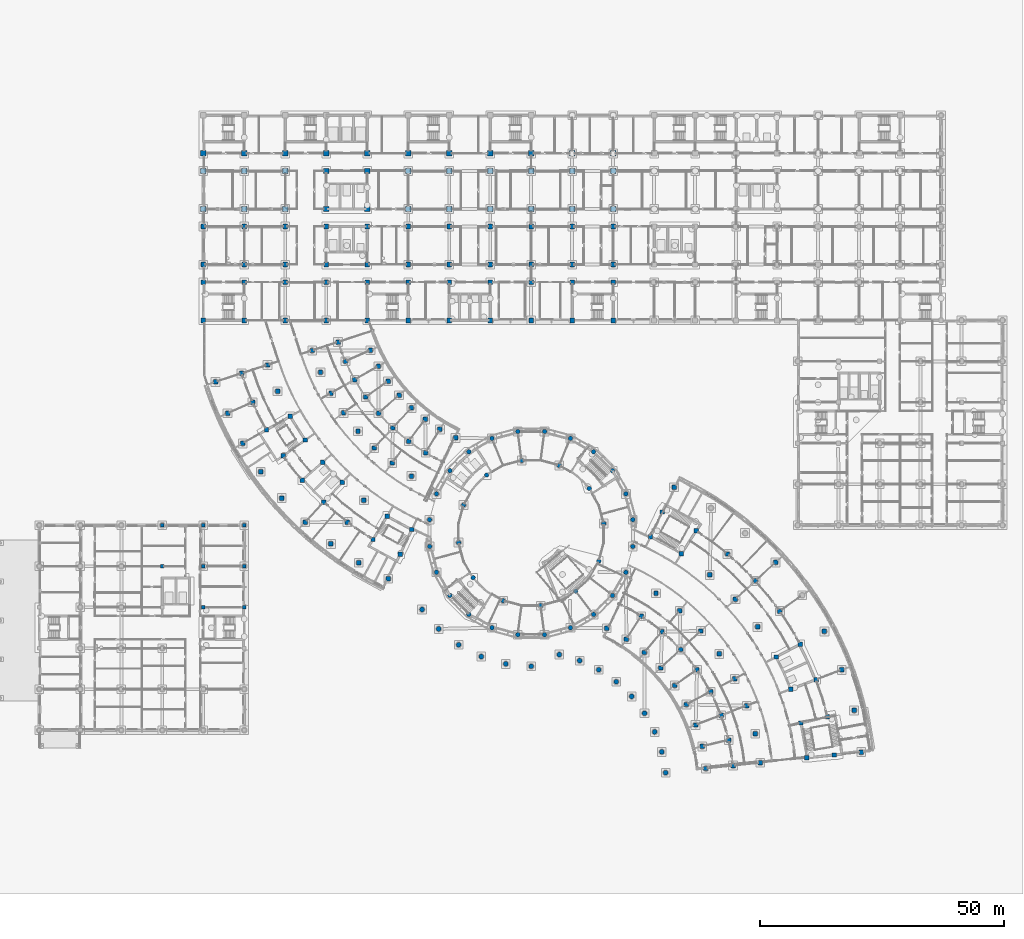
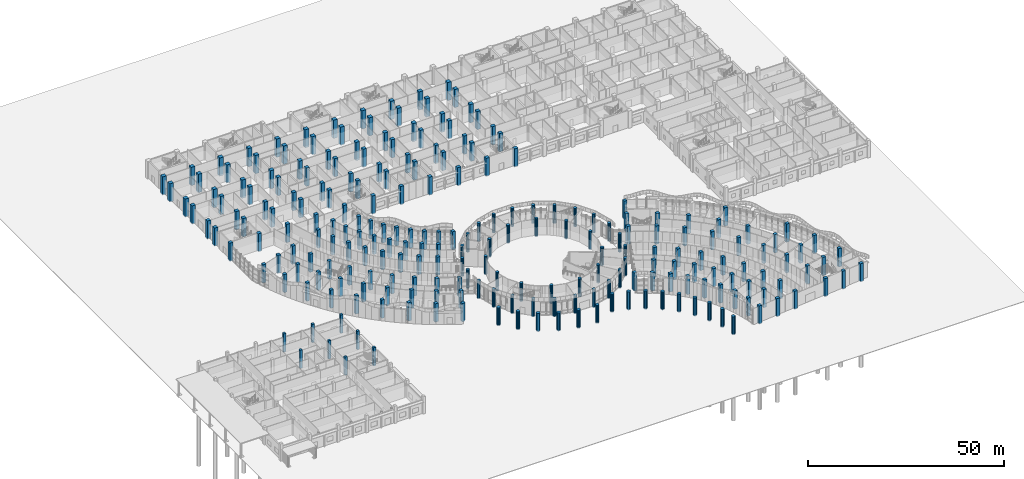
# One storey, part 14 of 146: 236 columns.
"""IFC4 building model written with IfcOpenShell, lengths in metres."""

from ifc_helpers import new_model, si_unit, direction, frame, origin, origin_2d, place, context, subcontext, project, spatial, rectangle, circle, extrude, material, material_profile, profile_set, type_object, element, save


model = new_model("IFC4")

# Units and contexts
model_context = context("Model", 3, precision=1e-05, world=origin(), true_north=direction((0.0, 1.0)))
body_context = subcontext(model_context, "Body", "Model", "MODEL_VIEW")
ifc_project = project(units=[si_unit("LENGTHUNIT", "METRE"), si_unit("AREAUNIT", "SQUARE_METRE"), si_unit("VOLUMEUNIT", "CUBIC_METRE"), si_unit("PLANEANGLEUNIT", "RADIAN"), si_unit("MASSUNIT", "GRAM", prefix="KILO")], contexts=[model_context])

# Site, building, storey
site_placement = place(None, origin())
site = spatial("IfcSite", under=ifc_project, at=site_placement, CompositionType="ELEMENT")
building_placement = place(site_placement, origin())
building = spatial("IfcBuilding", under=site, at=building_placement, Name="Bougainvillea Quay General Hospital", CompositionType="ELEMENT")
storey_placement = place(building_placement, origin())
storey = spatial("IfcBuildingStorey", under=building, at=storey_placement, Name="L00", CompositionType="ELEMENT", Elevation=0.0)

# Columns
ifc_material = material(Name="Concrete C50", Category="concrete")
ifc_material_profile_1 = material_profile(ifc_material, rectangle(XDim=1.0, YDim=1.0, at=origin_2d()))
ifc_profile_set_1 = profile_set([ifc_material_profile_1], Name="Concrete C50")
column_type_1 = type_object("IfcColumnType", Name="RC COL 1000x1000 C50", PredefinedType="COLUMN", material=ifc_profile_set_1)
for number, where, z_axis, x_axis, name in (
    (1, (42.0, 117.60009765625, -0.300048828125), (0.0, 0.0, 1.0), (1.0, 0.0, 0.0), "Column C-V4-000 L00"),
    (2, (42.0, 125.39990234375, -0.300048828125), (0.0, 0.0, 1.0), (1.0, 0.0, 0.0), "Column C-V4-001 L00"),
    (3, (42.0, 129.0, -0.300048828125), (0.0, 0.0, 1.0), (1.0, 0.0, 0.0), "Column C-V4-002 L00"),
    (4, (42.0, 136.800048828125, -0.300048828125), (0.0, 0.0, 1.0), (1.0, 0.0, 0.0), "Column C-V4-003 L00"),
    (5, (50.39990234375, 117.60009765625, -0.300048828125), (0.0, 0.0, 1.0), (1.0, 0.0, 0.0), "Column C-V4-010 L00"),
    (6, (50.39990234375, 125.39990234375, -0.300048828125), (0.0, 0.0, 1.0), (1.0, 0.0, 0.0), "Column C-V4-011 L00"),
    (7, (50.39990234375, 129.0, -0.300048828125), (0.0, 0.0, 1.0), (1.0, 0.0, 0.0), "Column C-V4-012 L00"),
    (8, (50.39990234375, 136.800048828125, -0.300048828125), (0.0, 0.0, 1.0), (1.0, 0.0, 0.0), "Column C-V4-013 L00"),
    (9, (58.800048828125, 117.60009765625, -0.300048828125), (0.0, 0.0, 1.0), (1.0, 0.0, 0.0), "Column C-V4-020 L00"),
    (10, (58.800048828125, 125.39990234375, -0.300048828125), (0.0, 0.0, 1.0), (1.0, 0.0, 0.0), "Column C-V4-021 L00"),
    (11, (58.800048828125, 129.0, -0.300048828125), (0.0, 0.0, 1.0), (1.0, 0.0, 0.0), "Column C-V4-022 L00"),
    (12, (58.800048828125, 136.800048828125, -0.300048828125), (0.0, 0.0, 1.0), (1.0, 0.0, 0.0), "Column C-V4-023 L00"),
    (13, (67.199951171875, 117.60009765625, -0.300048828125), (0.0, 0.0, 1.0), (1.0, 0.0, 0.0), "Column C-V4-030 L00"),
    (14, (67.199951171875, 125.39990234375, -0.300048828125), (0.0, 0.0, 1.0), (1.0, 0.0, 0.0), "Column C-V4-031 L00"),
    (15, (67.199951171875, 129.0, -0.300048828125), (0.0, 0.0, 1.0), (1.0, 0.0, 0.0), "Column C-V4-032 L00"),
    (16, (67.199951171875, 136.800048828125, -0.300048828125), (0.0, 0.0, 1.0), (1.0, 0.0, 0.0), "Column C-V4-033 L00"),
    (17, (75.60009765625, 117.60009765625, -0.300048828125), (0.0, 0.0, 1.0), (1.0, 0.0, 0.0), "Column C-V4-040 L00"),
    (18, (75.60009765625, 125.39990234375, -0.300048828125), (0.0, 0.0, 1.0), (1.0, 0.0, 0.0), "Column C-V4-041 L00"),
    (19, (75.60009765625, 129.0, -0.300048828125), (0.0, 0.0, 1.0), (1.0, 0.0, 0.0), "Column C-V4-042 L00"),
    (20, (75.60009765625, 136.800048828125, -0.300048828125), (0.0, 0.0, 1.0), (1.0, 0.0, 0.0), "Column C-V4-043 L00"),
    (21, (84.0, 117.60009765625, -0.300048828125), (0.0, 0.0, 1.0), (1.0, 0.0, 0.0), "Column C-V4-050 L00"),
    (22, (84.0, 125.39990234375, -0.300048828125), (0.0, 0.0, 1.0), (1.0, 0.0, 0.0), "Column C-V4-051 L00"),
    (23, (84.0, 129.0, -0.300048828125), (0.0, 0.0, 1.0), (1.0, 0.0, 0.0), "Column C-V4-052 L00"),
    (24, (84.0, 136.800048828125, -0.300048828125), (0.0, 0.0, 1.0), (1.0, 0.0, 0.0), "Column C-V4-053 L00"),
    (25, (92.39990234375, 117.60009765625, -0.300048828125), (0.0, 0.0, 1.0), (1.0, 0.0, 0.0), "Column C-V4-060 L00"),
    (26, (92.39990234375, 125.39990234375, -0.300048828125), (0.0, 0.0, 1.0), (1.0, 0.0, 0.0), "Column C-V4-061 L00"),
    (27, (92.39990234375, 129.0, -0.300048828125), (0.0, 0.0, 1.0), (1.0, 0.0, 0.0), "Column C-V4-062 L00"),
    (28, (92.39990234375, 136.800048828125, -0.300048828125), (0.0, 0.0, 1.0), (1.0, 0.0, 0.0), "Column C-V4-063 L00"),
    (29, (100.800048828125, 117.60009765625, -0.300048828125), (0.0, 0.0, 1.0), (1.0, 0.0, 0.0), "Column C-V4-070 L00"),
    (30, (100.800048828125, 125.39990234375, -0.300048828125), (0.0, 0.0, 1.0), (1.0, 0.0, 0.0), "Column C-V4-071 L00"),
    (31, (100.800048828125, 129.0, -0.300048828125), (0.0, 0.0, 1.0), (1.0, 0.0, 0.0), "Column C-V4-072 L00"),
    (32, (100.800048828125, 136.800048828125, -0.300048828125), (0.0, 0.0, 1.0), (1.0, 0.0, 0.0), "Column C-V4-073 L00"),
    (33, (109.199951171875, 117.60009765625, -0.300048828125), (0.0, 0.0, 1.0), (1.0, 0.0, 0.0), "Column C-V4-080 L00"),
    (34, (109.199951171875, 125.39990234375, -0.300048828125), (0.0, 0.0, 1.0), (1.0, 0.0, 0.0), "Column C-V4-081 L00"),
    (35, (109.199951171875, 129.0, -0.300048828125), (0.0, 0.0, 1.0), (1.0, 0.0, 0.0), "Column C-V4-082 L00"),
    (36, (109.199951171875, 136.800048828125, -0.300048828125), (0.0, 0.0, 1.0), (1.0, 0.0, 0.0), "Column C-V4-083 L00"),
    (37, (117.60009765625, 117.60009765625, -0.300048828125), (0.0, 0.0, 1.0), (1.0, 0.0, 0.0), "Column C-V4-090 L00"),
    (38, (117.60009765625, 125.39990234375, -0.300048828125), (0.0, 0.0, 1.0), (1.0, 0.0, 0.0), "Column C-V4-091 L00"),
    (39, (117.60009765625, 129.0, -0.300048828125), (0.0, 0.0, 1.0), (1.0, 0.0, 0.0), "Column C-V4-092 L00"),
    (40, (117.60009765625, 136.800048828125, -0.300048828125), (0.0, 0.0, 1.0), (1.0, 0.0, 0.0), "Column C-V4-093 L00"),
    (41, (126.0, 117.60009765625, -0.300048828125), (0.0, 0.0, 1.0), (1.0, 0.0, 0.0), "Column C-V4-100 L00"),
    (42, (126.0, 125.39990234375, -0.300048828125), (0.0, 0.0, 1.0), (1.0, 0.0, 0.0), "Column C-V4-101 L00"),
    (43, (126.0, 129.0, -0.300048828125), (0.0, 0.0, 1.0), (1.0, 0.0, 0.0), "Column C-V4-102 L00"),
    (44, (126.0, 136.800048828125, -0.300048828125), (0.0, 0.0, 1.0), (1.0, 0.0, 0.0), "Column C-V4-103 L00"),
):
    element("IfcColumn", number, at=place(storey_placement, frame(where, z_axis=z_axis, x_axis=x_axis)), inside=storey, type_object=column_type_1, Name=name, PredefinedType="COLUMN", context=body_context, shape_type="SweptSolid", body=[
        extrude(rectangle(XDim=1.0, YDim=1.0, at=origin_2d()), origin(), (0.0, 0.0, 1.0), 5.699951171875),
    ])
ifc_material_profile_2 = material_profile(ifc_material, rectangle(XDim=1.10009765625, YDim=1.10009765625, at=origin_2d()))
ifc_profile_set_2 = profile_set([ifc_material_profile_2], Name="Concrete C50")
column_type_2 = type_object("IfcColumnType", Name="RC COL 1100x1100 C50", PredefinedType="COLUMN", material=ifc_profile_set_2)
for number, where, z_axis, x_axis, name in (
    (45, (42.0, 140.39990234375, -0.300048828125), (0.0, 0.0, 1.0), (1.0, 0.0, 0.0), "Column C-V4-004 L00"),
    (46, (42.0, 148.199951171875, -0.300048828125), (0.0, 0.0, 1.0), (1.0, 0.0, 0.0), "Column C-V4-005 L00"),
    (47, (42.0, 151.800048828125, -0.300048828125), (0.0, 0.0, 1.0), (1.0, 0.0, 0.0), "Column C-V4-006 L00"),
    (48, (50.39990234375, 140.39990234375, -0.300048828125), (0.0, 0.0, 1.0), (1.0, 0.0, 0.0), "Column C-V4-014 L00"),
    (49, (50.39990234375, 148.199951171875, -0.300048828125), (0.0, 0.0, 1.0), (1.0, 0.0, 0.0), "Column C-V4-015 L00"),
    (50, (50.39990234375, 151.800048828125, -0.300048828125), (0.0, 0.0, 1.0), (1.0, 0.0, 0.0), "Column C-V4-016 L00"),
    (51, (58.800048828125, 140.39990234375, -0.300048828125), (0.0, 0.0, 1.0), (1.0, 0.0, 0.0), "Column C-V4-024 L00"),
    (52, (58.800048828125, 148.199951171875, -0.300048828125), (0.0, 0.0, 1.0), (1.0, 0.0, 0.0), "Column C-V4-025 L00"),
    (53, (58.800048828125, 151.800048828125, -0.300048828125), (0.0, 0.0, 1.0), (1.0, 0.0, 0.0), "Column C-V4-026 L00"),
    (54, (67.199951171875, 140.39990234375, -0.300048828125), (0.0, 0.0, 1.0), (1.0, 0.0, 0.0), "Column C-V4-034 L00"),
    (55, (67.199951171875, 148.199951171875, -0.300048828125), (0.0, 0.0, 1.0), (1.0, 0.0, 0.0), "Column C-V4-035 L00"),
    (56, (67.199951171875, 151.800048828125, -0.300048828125), (0.0, 0.0, 1.0), (1.0, 0.0, 0.0), "Column C-V4-036 L00"),
    (57, (75.60009765625, 140.39990234375, -0.300048828125), (0.0, 0.0, 1.0), (1.0, 0.0, 0.0), "Column C-V4-044 L00"),
    (58, (75.60009765625, 148.199951171875, -0.300048828125), (0.0, 0.0, 1.0), (1.0, 0.0, 0.0), "Column C-V4-045 L00"),
    (59, (75.60009765625, 151.800048828125, -0.300048828125), (0.0, 0.0, 1.0), (1.0, 0.0, 0.0), "Column C-V4-046 L00"),
    (60, (84.0, 140.39990234375, -0.300048828125), (0.0, 0.0, 1.0), (1.0, 0.0, 0.0), "Column C-V4-054 L00"),
    (61, (84.0, 148.199951171875, -0.300048828125), (0.0, 0.0, 1.0), (1.0, 0.0, 0.0), "Column C-V4-055 L00"),
    (62, (84.0, 151.800048828125, -0.300048828125), (0.0, 0.0, 1.0), (1.0, 0.0, 0.0), "Column C-V4-056 L00"),
    (63, (92.39990234375, 140.39990234375, -0.300048828125), (0.0, 0.0, 1.0), (1.0, 0.0, 0.0), "Column C-V4-064 L00"),
    (64, (92.39990234375, 148.199951171875, -0.300048828125), (0.0, 0.0, 1.0), (1.0, 0.0, 0.0), "Column C-V4-065 L00"),
    (65, (92.39990234375, 151.800048828125, -0.300048828125), (0.0, 0.0, 1.0), (1.0, 0.0, 0.0), "Column C-V4-066 L00"),
    (66, (100.800048828125, 140.39990234375, -0.300048828125), (0.0, 0.0, 1.0), (1.0, 0.0, 0.0), "Column C-V4-074 L00"),
    (67, (100.800048828125, 148.199951171875, -0.300048828125), (0.0, 0.0, 1.0), (1.0, 0.0, 0.0), "Column C-V4-075 L00"),
    (68, (100.800048828125, 151.800048828125, -0.300048828125), (0.0, 0.0, 1.0), (1.0, 0.0, 0.0), "Column C-V4-076 L00"),
    (69, (109.199951171875, 140.39990234375, -0.300048828125), (0.0, 0.0, 1.0), (1.0, 0.0, 0.0), "Column C-V4-084 L00"),
    (70, (109.199951171875, 148.199951171875, -0.300048828125), (0.0, 0.0, 1.0), (1.0, 0.0, 0.0), "Column C-V4-085 L00"),
    (71, (109.199951171875, 151.800048828125, -0.300048828125), (0.0, 0.0, 1.0), (1.0, 0.0, 0.0), "Column C-V4-086 L00"),
    (72, (117.60009765625, 140.39990234375, -0.300048828125), (0.0, 0.0, 1.0), (1.0, 0.0, 0.0), "Column C-V4-094 L00"),
    (73, (117.60009765625, 148.199951171875, -0.300048828125), (0.0, 0.0, 1.0), (1.0, 0.0, 0.0), "Column C-V4-095 L00"),
    (74, (117.60009765625, 151.800048828125, -0.300048828125), (0.0, 0.0, 1.0), (1.0, 0.0, 0.0), "Column C-V4-096 L00"),
    (75, (126.0, 140.39990234375, -0.300048828125), (0.0, 0.0, 1.0), (1.0, 0.0, 0.0), "Column C-V4-104 L00"),
    (76, (126.0, 148.199951171875, -0.300048828125), (0.0, 0.0, 1.0), (1.0, 0.0, 0.0), "Column C-V4-105 L00"),
    (77, (126.0, 151.800048828125, -0.300048828125), (0.0, 0.0, 1.0), (1.0, 0.0, 0.0), "Column C-V4-106 L00"),
):
    element("IfcColumn", number, at=place(storey_placement, frame(where, z_axis=z_axis, x_axis=x_axis)), inside=storey, type_object=column_type_2, Name=name, PredefinedType="COLUMN", context=body_context, shape_type="SweptSolid", body=[
        extrude(rectangle(XDim=1.10009765625, YDim=1.10009765625, at=origin_2d()), origin(), (0.0, 0.0, 1.0), 5.699951171875),
    ])
ifc_material_profile_3 = material_profile(ifc_material, rectangle(XDim=0.699951171875, YDim=0.699951171875, at=origin_2d()))
ifc_profile_set_3 = profile_set([ifc_material_profile_3], Name="Concrete C50")
column_type_3 = type_object("IfcColumnType", Name="RC COL 700x700 C50", PredefinedType="COLUMN", material=ifc_profile_set_3)
for number, where, z_axis, x_axis, name in (
    (78, (33.60009765625, 67.199951171875, -0.300048828125), (0.0, 0.0, 1.0), (1.0, 0.0, 0.0), "Column C-V2-34 L00"),
    (79, (33.60009765625, 75.60009765625, -0.300048828125), (0.0, 0.0, 1.0), (1.0, 0.0, 0.0), "Column C-V2-35 L00"),
    (80, (42.0, 58.800048828125, -0.300048828125), (0.0, 0.0, 1.0), (1.0, 0.0, 0.0), "Column C-V2-43 L00"),
    (81, (42.0, 67.199951171875, -0.300048828125), (0.0, 0.0, 1.0), (1.0, 0.0, 0.0), "Column C-V2-44 L00"),
    (82, (42.0, 75.60009765625, -0.300048828125), (0.0, 0.0, 1.0), (1.0, 0.0, 0.0), "Column C-V2-45 L00"),
    (83, (50.39990234375, 58.800048828125, -0.300048828125), (0.0, 0.0, 1.0), (1.0, 0.0, 0.0), "Column C-V2-53 L00"),
    (84, (50.39990234375, 67.199951171875, -0.300048828125), (0.0, 0.0, 1.0), (1.0, 0.0, 0.0), "Column C-V2-54 L00"),
    (85, (50.39990234375, 75.60009765625, -0.300048828125), (0.0, 0.0, 1.0), (1.0, 0.0, 0.0), "Column C-V2-55 L00"),
):
    element("IfcColumn", number, at=place(storey_placement, frame(where, z_axis=z_axis, x_axis=x_axis)), inside=storey, type_object=column_type_3, Name=name, PredefinedType="COLUMN", context=body_context, shape_type="SweptSolid", body=[
        extrude(rectangle(XDim=0.699951171875, YDim=0.699951171875, at=origin_2d()), origin(), (0.0, 0.0, 1.0), 5.699951171875),
    ])
ifc_material_profile_4 = material_profile(ifc_material, rectangle(XDim=0.89990234375, YDim=0.89990234375, at=origin_2d()))
ifc_profile_set_4 = profile_set([ifc_material_profile_4], Name="Concrete C50")
column_type_4 = type_object("IfcColumnType", Name="RC COL 900x900 C50", PredefinedType="COLUMN", material=ifc_profile_set_4)
for number, where, z_axis, x_axis, name in (
    (86, (44.530029296875, 104.98193359375, -0.300048828125), (0.0, 0.0, 1.0), (1.0, 0.0, 0.0), "Column C-V6-W80 L00"),
    (87, (46.989990234375, 98.5419921875, -0.300048828125), (0.0, 0.0, 1.0), (1.0, 0.0, 0.0), "Column C-V6-W70 L00"),
    (88, (49.85498046875, 106.712890625, -0.300048828125), (0.0, 0.0, 1.0), (1.0, 0.0, 0.0), "Column C-V6-W81 L00"),
    (89, (50.091064453125, 92.383056640625, -0.300048828125), (0.0, 0.0, 1.0), (1.0, 0.0, 0.0), "Column C-V6-W60 L00"),
    (90, (52.114013671875, 100.802978515625, -0.300048828125), (0.0, 0.0, 1.0), (1.0, 0.0, 0.0), "Column C-V6-W71 L00"),
    (91, (53.799072265625, 86.570068359375, -0.300048828125), (0.0, 0.0, 1.0), (1.0, 0.0, 0.0), "Column C-V6-W50 L00"),
    (92, (54.958984375, 95.152099609375, -0.300048828125), (0.0, 0.0, 1.0), (1.0, 0.0, 0.0), "Column C-V6-W61 L00"),
    (93, (55.180908203125, 108.444091796875, -0.300048828125), (0.0, 0.0, 1.0), (1.0, 0.0, 0.0), "Column C-V6-W82 L00"),
    (94, (57.237060546875, 103.06396484375, -0.300048828125), (0.0, 0.0, 1.0), (1.0, 0.0, 0.0), "Column C-V6-W72 L00"),
    (95, (58.075927734375, 81.1630859375, -0.300048828125), (0.0, 0.0, 1.0), (1.0, 0.0, 0.0), "Column C-V6-W40 L00"),
    (96, (58.361083984375, 89.81689453125, -0.300048828125), (0.0, 0.0, 1.0), (1.0, 0.0, 0.0), "Column C-V6-W51 L00"),
    (97, (59.825927734375, 97.919921875, -0.300048828125), (0.0, 0.0, 1.0), (1.0, 0.0, 0.0), "Column C-V6-W62 L00"),
    (98, (62.287109375, 84.85498046875, -0.300048828125), (0.0, 0.0, 1.0), (1.0, 0.0, 0.0), "Column C-V6-W41 L00"),
    (99, (62.8798828125, 76.216064453125, -0.300048828125), (0.0, 0.0, 1.0), (1.0, 0.0, 0.0), "Column C-V6-W30 L00"),
    (100, (62.924072265625, 93.06494140625, -0.300048828125), (0.0, 0.0, 1.0), (1.0, 0.0, 0.0), "Column C-V6-W52 L00"),
    (101, (64.31103515625, 111.410888671875, -0.300048828125), (0.0, 0.0, 1.0), (1.0, 0.0, 0.0), "Column C-V6-W83 L00"),
    (102, (66.01904296875, 106.94091796875, -0.300048828125), (0.0, 0.0, 1.0), (1.0, 0.0, 0.0), "Column C-V6-W73 L00"),
    (103, (66.4970703125, 88.548095703125, -0.300048828125), (0.0, 0.0, 1.0), (1.0, 0.0, 0.0), "Column C-V6-W42 L00"),
    (104, (66.694091796875, 80.31591796875, -0.300048828125), (0.0, 0.0, 1.0), (1.0, 0.0, 0.0), "Column C-V6-W31 L00"),
    (105, (68.158935546875, 71.781005859375, -0.300048828125), (0.0, 0.0, 1.0), (1.0, 0.0, 0.0), "Column C-V6-W20 L00"),
    (106, (68.1708984375, 102.666015625, -0.300048828125), (0.0, 0.0, 1.0), (1.0, 0.0, 0.0), "Column C-V6-W63 L00"),
    (107, (69.636962890625, 113.14208984375, -0.300048828125), (0.0, 0.0, 1.0), (1.0, 0.0, 0.0), "Column C-V6-W84 L00"),
    (108, (70.509033203125, 84.416015625, -0.300048828125), (0.0, 0.0, 1.0), (1.0, 0.0, 0.0), "Column C-V6-W32 L00"),
    (109, (70.7451171875, 98.631103515625, -0.300048828125), (0.0, 0.0, 1.0), (1.0, 0.0, 0.0), "Column C-V6-W53 L00"),
    (110, (71.14208984375, 109.201904296875, -0.300048828125), (0.0, 0.0, 1.0), (1.0, 0.0, 0.0), "Column C-V6-W74 L00"),
    (111, (71.5390625, 76.2470703125, -0.300048828125), (0.0, 0.0, 1.0), (1.0, 0.0, 0.0), "Column C-V6-W21 L00"),
    (112, (73.0390625, 105.43408203125, -0.300048828125), (0.0, 0.0, 1.0), (1.0, 0.0, 0.0), "Column C-V6-W64 L00"),
    (113, (73.714111328125, 94.8779296875, -0.300048828125), (0.0, 0.0, 1.0), (1.0, 0.0, 0.0), "Column C-V6-W43 L00"),
    (114, (73.861083984375, 67.904052734375, -0.300048828125), (0.0, 0.0, 1.0), (1.0, 0.0, 0.0), "Column C-V6-W10 L00"),
    (115, (74.9189453125, 80.7119140625, -0.300048828125), (0.0, 0.0, 1.0), (1.0, 0.0, 0.0), "Column C-V6-W22 L00"),
    (116, (75.30810546875, 101.8779296875, -0.300048828125), (0.0, 0.0, 1.0), (1.0, 0.0, 0.0), "Column C-V6-W54 L00"),
    (117, (76.26611328125, 111.462890625, -0.300048828125), (0.0, 0.0, 1.0), (1.0, 0.0, 0.0), "Column C-V6-W75 L00"),
    (118, (76.77099609375, 72.68896484375, -0.300048828125), (0.0, 0.0, 1.0), (1.0, 0.0, 0.0), "Column C-V6-W11 L00"),
    (119, (77.048095703125, 91.444091796875, -0.300048828125), (0.0, 0.0, 1.0), (1.0, 0.0, 0.0), "Column C-V6-W33 L00"),
    (120, (77.906982421875, 108.202880859375, -0.300048828125), (0.0, 0.0, 1.0), (1.0, 0.0, 0.0), "Column C-V6-W65 L00"),
    (121, (77.924072265625, 98.570068359375, -0.300048828125), (0.0, 0.0, 1.0), (1.0, 0.0, 0.0), "Column C-V6-W44 L00"),
    (122, (79.680908203125, 77.472900390625, -0.300048828125), (0.0, 0.0, 1.0), (1.0, 0.0, 0.0), "Column C-V6-W12 L00"),
    (123, (79.8701171875, 105.125, -0.300048828125), (0.0, 0.0, 1.0), (1.0, 0.0, 0.0), "Column C-V6-W55 L00"),
    (124, (79.925048828125, 64.6240234375, -0.300048828125), (0.0, 0.0, 1.0), (1.0, 0.0, 0.0), "Column C-V6-W00 L00"),
    (125, (80.712890625, 88.365966796875, -0.300048828125), (0.0, 0.0, 1.0), (1.0, 0.0, 0.0), "Column C-V6-W23 L00"),
    (126, (80.863037109375, 95.5439453125, -0.300048828125), (0.0, 0.0, 1.0), (1.0, 0.0, 0.0), "Column C-V6-W34 L00"),
    (127, (82.135009765625, 102.262939453125, -0.300048828125), (0.0, 0.0, 1.0), (1.0, 0.0, 0.0), "Column C-V6-W45 L00"),
    (128, (82.3359375, 69.678955078125, -0.300048828125), (0.0, 0.0, 1.0), (1.0, 0.0, 0.0), "Column C-V6-W01 L00"),
    (129, (84.093017578125, 92.8310546875, -0.300048828125), (0.0, 0.0, 1.0), (1.0, 0.0, 0.0), "Column C-V6-W24 L00"),
    (130, (84.669921875, 85.675048828125, -0.300048828125), (0.0, 0.0, 1.0), (1.0, 0.0, 0.0), "Column C-V6-W13 L00"),
    (131, (84.677001953125, 99.64404296875, -0.300048828125), (0.0, 0.0, 1.0), (1.0, 0.0, 0.0), "Column C-V6-W35 L00"),
    (132, (84.7470703125, 74.73291015625, -0.300048828125), (0.0, 0.0, 1.0), (1.0, 0.0, 0.0), "Column C-V6-W02 L00"),
    (133, (87.471923828125, 97.2958984375, -0.300048828125), (0.0, 0.0, 1.0), (1.0, 0.0, 0.0), "Column C-V6-W25 L00"),
    (134, (87.5810546875, 90.458984375, -0.300048828125), (0.0, 0.0, 1.0), (1.0, 0.0, 0.0), "Column C-V6-W14 L00"),
    (135, (90.490966796875, 95.242919921875, -0.300048828125), (0.0, 0.0, 1.0), (1.0, 0.0, 0.0), "Column C-V6-W15 L00"),
    (136, (93.701904296875, 93.507080078125, -0.300048828125), (0.0, 0.0, 1.0), (1.0, 0.0, 0.0), "Column C-V6-W05 L00"),
    (137, (124.697998046875, 54.492919921875, -0.300048828125), (0.0, 0.0, 1.0), (1.0, 0.0, 0.0), "Column C-V6-E05 L00"),
    (138, (128.7080078125, 52.256103515625, -0.300048828125), (0.0, 0.0, 1.0), (1.0, 0.0, 0.0), "Column C-V6-E15 L00"),
    (139, (131.741943359375, 56.962890625, -0.300048828125), (0.0, 0.0, 1.0), (1.0, 0.0, 0.0), "Column C-V6-E14 L00"),
    (140, (132.39990234375, 49.527099609375, -0.300048828125), (0.0, 0.0, 1.0), (1.0, 0.0, 0.0), "Column C-V6-E25 L00"),
    (141, (133.653076171875, 73.26708984375, -0.300048828125), (0.0, 0.0, 1.0), (1.0, 0.0, 0.0), "Column C-V6-E02 L00"),
    (142, (134.777099609375, 61.6689453125, -0.300048828125), (0.0, 0.0, 1.0), (1.0, 0.0, 0.0), "Column C-V6-E13 L00"),
    (143, (135.715087890625, 46.35107421875, -0.300048828125), (0.0, 0.0, 1.0), (1.0, 0.0, 0.0), "Column C-V6-E35 L00"),
    (144, (136.009033203125, 53.81005859375, -0.300048828125), (0.0, 0.0, 1.0), (1.0, 0.0, 0.0), "Column C-V6-E24 L00"),
    (145, (136.06396484375, 78.321044921875, -0.300048828125), (0.0, 0.0, 1.0), (1.0, 0.0, 0.0), "Column C-V6-E01 L00"),
    (146, (138.47509765625, 83.3759765625, -0.300048828125), (0.0, 0.0, 1.0), (1.0, 0.0, 0.0), "Column C-V6-E00 L00"),
    (147, (138.597900390625, 42.778076171875, -0.300048828125), (0.0, 0.0, 1.0), (1.0, 0.0, 0.0), "Column C-V6-E45 L00"),
    (148, (139.617919921875, 58.092041015625, -0.300048828125), (0.0, 0.0, 1.0), (1.0, 0.0, 0.0), "Column C-V6-E23 L00"),
    (149, (139.839111328125, 50.138916015625, -0.300048828125), (0.0, 0.0, 1.0), (1.0, 0.0, 0.0), "Column C-V6-E34 L00"),
    (150, (139.97900390625, 69.738037109375, -0.300048828125), (0.0, 0.0, 1.0), (1.0, 0.0, 0.0), "Column C-V6-E12 L00"),
    (151, (141.00390625, 38.867919921875, -0.300048828125), (0.0, 0.0, 1.0), (1.0, 0.0, 0.0), "Column C-V6-E55 L00"),
    (152, (142.89208984375, 34.68310546875, -0.300048828125), (0.0, 0.0, 1.0), (1.0, 0.0, 0.0), "Column C-V6-E65 L00"),
    (153, (143.013916015625, 74.444091796875, -0.300048828125), (0.0, 0.0, 1.0), (1.0, 0.0, 0.0), "Column C-V6-E11 L00"),
    (154, (143.1708984375, 46.010009765625, -0.300048828125), (0.0, 0.0, 1.0), (1.0, 0.0, 0.0), "Column C-V6-E44 L00"),
    (155, (143.964111328125, 53.927001953125, -0.300048828125), (0.0, 0.0, 1.0), (1.0, 0.0, 0.0), "Column C-V6-E33 L00"),
    (156, (144.23193359375, 30.2919921875, -0.300048828125), (0.0, 0.0, 1.0), (1.0, 0.0, 0.0), "Column C-V6-E75 L00"),
    (157, (145.0029296875, 25.76611328125, -0.300048828125), (0.0, 0.0, 1.0), (1.0, 0.0, 0.0), "Column C-V6-E85 L00"),
    (158, (145.803955078125, 65.431884765625, -0.300048828125), (0.0, 0.0, 1.0), (1.0, 0.0, 0.0), "Column C-V6-E22 L00"),
    (159, (145.950927734375, 41.491943359375, -0.300048828125), (0.0, 0.0, 1.0), (1.0, 0.0, 0.0), "Column C-V6-E54 L00"),
    (160, (147.7451171875, 49.242919921875, -0.300048828125), (0.0, 0.0, 1.0), (1.0, 0.0, 0.0), "Column C-V6-E43 L00"),
    (161, (148.133056640625, 36.656005859375, -0.300048828125), (0.0, 0.0, 1.0), (1.0, 0.0, 0.0), "Column C-V6-E64 L00"),
    (162, (149.4130859375, 69.714111328125, -0.300048828125), (0.0, 0.0, 1.0), (1.0, 0.0, 0.0), "Column C-V6-E21 L00"),
    (163, (149.681884765625, 31.5810546875, -0.300048828125), (0.0, 0.0, 1.0), (1.0, 0.0, 0.0), "Column C-V6-E74 L00"),
    (164, (150.572021484375, 26.35107421875, -0.300048828125), (0.0, 0.0, 1.0), (1.0, 0.0, 0.0), "Column C-V6-E84 L00"),
    (165, (150.89794921875, 44.114990234375, -0.300048828125), (0.0, 0.0, 1.0), (1.0, 0.0, 0.0), "Column C-V6-E53 L00"),
    (166, (151.033935546875, 60.419921875, -0.300048828125), (0.0, 0.0, 1.0), (1.0, 0.0, 0.0), "Column C-V6-E32 L00"),
    (167, (153.3740234375, 38.62890625, -0.300048828125), (0.0, 0.0, 1.0), (1.0, 0.0, 0.0), "Column C-V6-E63 L00"),
    (168, (155.131103515625, 32.87109375, -0.300048828125), (0.0, 0.0, 1.0), (1.0, 0.0, 0.0), "Column C-V6-E73 L00"),
    (169, (155.158935546875, 64.2080078125, -0.300048828125), (0.0, 0.0, 1.0), (1.0, 0.0, 0.0), "Column C-V6-E31 L00"),
    (170, (155.583984375, 54.782958984375, -0.300048828125), (0.0, 0.0, 1.0), (1.0, 0.0, 0.0), "Column C-V6-E42 L00"),
    (171, (156.14111328125, 26.93701171875, -0.300048828125), (0.0, 0.0, 1.0), (1.0, 0.0, 0.0), "Column C-V6-E83 L00"),
    (172, (159.283935546875, 67.99609375, -0.300048828125), (0.0, 0.0, 1.0), (1.0, 0.0, 0.0), "Column C-V6-E30 L00"),
    (173, (159.37890625, 48.613037109375, -0.300048828125), (0.0, 0.0, 1.0), (1.0, 0.0, 0.0), "Column C-V6-E52 L00"),
    (174, (160.156982421875, 58.01611328125, -0.300048828125), (0.0, 0.0, 1.0), (1.0, 0.0, 0.0), "Column C-V6-E41 L00"),
    (175, (162.35791015625, 42.010986328125, -0.300048828125), (0.0, 0.0, 1.0), (1.0, 0.0, 0.0), "Column C-V6-E62 L00"),
    (176, (164.326904296875, 51.237060546875, -0.300048828125), (0.0, 0.0, 1.0), (1.0, 0.0, 0.0), "Column C-V6-E51 L00"),
    (177, (164.472900390625, 35.08203125, -0.300048828125), (0.0, 0.0, 1.0), (1.0, 0.0, 0.0), "Column C-V6-E72 L00"),
    (178, (165.68798828125, 27.94091796875, -0.300048828125), (0.0, 0.0, 1.0), (1.0, 0.0, 0.0), "Column C-V6-E82 L00"),
    (179, (167.59912109375, 43.98291015625, -0.300048828125), (0.0, 0.0, 1.0), (1.0, 0.0, 0.0), "Column C-V6-E61 L00"),
    (180, (169.27392578125, 53.861083984375, -0.300048828125), (0.0, 0.0, 1.0), (1.0, 0.0, 0.0), "Column C-V6-E50 L00"),
    (181, (169.922119140625, 36.3720703125, -0.300048828125), (0.0, 0.0, 1.0), (1.0, 0.0, 0.0), "Column C-V6-E71 L00"),
    (182, (171.258056640625, 28.527099609375, -0.300048828125), (0.0, 0.0, 1.0), (1.0, 0.0, 0.0), "Column C-V6-E81 L00"),
    (183, (172.840087890625, 45.9560546875, -0.300048828125), (0.0, 0.0, 1.0), (1.0, 0.0, 0.0), "Column C-V6-E60 L00"),
    (184, (175.3720703125, 37.662109375, -0.300048828125), (0.0, 0.0, 1.0), (1.0, 0.0, 0.0), "Column C-V6-E70 L00"),
    (185, (176.826904296875, 29.113037109375, -0.300048828125), (0.0, 0.0, 1.0), (1.0, 0.0, 0.0), "Column C-V6-E80 L00"),
):
    element("IfcColumn", number, at=place(storey_placement, frame(where, z_axis=z_axis, x_axis=x_axis)), inside=storey, type_object=column_type_4, Name=name, PredefinedType="COLUMN", context=body_context, shape_type="SweptSolid", body=[
        extrude(rectangle(XDim=0.89990234375, YDim=0.89990234375, at=origin_2d()), origin(), (0.0, 0.0, 1.0), 5.699951171875),
    ])
ifc_material_profile_5 = material_profile(ifc_material, circle(Radius=0.5, at=origin_2d()))
ifc_profile_set_5 = profile_set([ifc_material_profile_5], Name="Concrete C50")
column_type_5 = type_object("IfcColumnType", Name="RC COL D1000 C50", PredefinedType="COLUMN", material=ifc_profile_set_5)
for number, where, z_axis, x_axis, name in (
    (186, (86.8369140625, 58.341064453125, -0.300048828125), (0.0, 0.0, 1.0), (1.0, 0.0, 0.0), "Column C-V7-P00 L00"),
    (187, (90.236083984375, 54.362060546875, -0.300048828125), (0.0, 0.0, 1.0), (1.0, 0.0, 0.0), "Column C-V7-P01 L00"),
    (188, (94.3310546875, 51.10400390625, -0.300048828125), (0.0, 0.0, 1.0), (1.0, 0.0, 0.0), "Column C-V7-P02 L00"),
    (189, (98.972900390625, 48.68798828125, -0.300048828125), (0.0, 0.0, 1.0), (1.0, 0.0, 0.0), "Column C-V7-P03 L00"),
    (190, (103.990966796875, 47.201904296875, -0.300048828125), (0.0, 0.0, 1.0), (1.0, 0.0, 0.0), "Column C-V7-P04 L00"),
    (191, (109.199951171875, 46.699951171875, -0.300048828125), (0.0, 0.0, 1.0), (1.0, 0.0, 0.0), "Column C-V7-P05 L00"),
    (192, (114.958984375, 49.094970703125, -0.300048828125), (0.0, 0.0, 1.0), (1.0, 0.0, 0.0), "Column C-V7-Q00 L00"),
    (193, (119.126953125, 47.860107421875, -0.300048828125), (0.0, 0.0, 1.0), (1.0, 0.0, 0.0), "Column C-V7-Q01 L00"),
    (194, (123.050048828125, 45.989013671875, -0.300048828125), (0.0, 0.0, 1.0), (1.0, 0.0, 0.0), "Column C-V7-Q02 L00"),
    (195, (126.632080078125, 43.527099609375, -0.300048828125), (0.0, 0.0, 1.0), (1.0, 0.0, 0.0), "Column C-V7-Q03 L00"),
    (196, (129.784912109375, 40.534912109375, -0.300048828125), (0.0, 0.0, 1.0), (1.0, 0.0, 0.0), "Column C-V7-Q04 L00"),
    (197, (132.430908203125, 37.0869140625, -0.300048828125), (0.0, 0.0, 1.0), (1.0, 0.0, 0.0), "Column C-V7-Q05 L00"),
    (198, (134.5048828125, 33.26708984375, -0.300048828125), (0.0, 0.0, 1.0), (1.0, 0.0, 0.0), "Column C-V7-Q06 L00"),
    (199, (135.9560546875, 29.1689453125, -0.300048828125), (0.0, 0.0, 1.0), (1.0, 0.0, 0.0), "Column C-V7-Q07 L00"),
    (200, (136.748046875, 24.89501953125, -0.300048828125), (0.0, 0.0, 1.0), (1.0, 0.0, 0.0), "Column C-V7-Q08 L00"),
):
    element("IfcColumn", number, at=place(storey_placement, frame(where, z_axis=z_axis, x_axis=x_axis)), inside=storey, type_object=column_type_5, Name=name, PredefinedType="COLUMN", context=body_context, shape_type="SweptSolid", body=[
        extrude(circle(Radius=0.5, at=origin_2d()), origin(), (0.0, 0.0, 1.0), 5.699951171875),
    ])
ifc_material_profile_6 = material_profile(ifc_material, circle(Radius=0.449951171875, at=origin_2d()))
ifc_profile_set_6 = profile_set([ifc_material_profile_6], Name="Concrete C50")
column_type_6 = type_object("IfcColumnType", Name="RC COL D900 C50", PredefinedType="COLUMN", material=ifc_profile_set_6)
for number, where, z_axis, x_axis, name in (
    (201, (88.3798828125, 71.259033203125, -0.300048828125), (0.0, 0.0, 1.0), (1.0, 0.0, 0.0), "Column C-V1-O12 L00"),
    (202, (88.3798828125, 76.740966796875, -0.300048828125), (0.0, 0.0, 1.0), (1.0, 0.0, 0.0), "Column C-V1-O11 L00"),
    (203, (89.799072265625, 65.964111328125, -0.300048828125), (0.0, 0.0, 1.0), (1.0, 0.0, 0.0), "Column C-V1-O13 L00"),
    (204, (89.799072265625, 82.035888671875, -0.300048828125), (0.0, 0.0, 1.0), (1.0, 0.0, 0.0), "Column C-V1-O10 L00"),
    (205, (92.5400390625, 61.216064453125, -0.300048828125), (0.0, 0.0, 1.0), (1.0, 0.0, 0.0), "Column C-V1-O14 L00"),
    (206, (92.5400390625, 86.783935546875, -0.300048828125), (0.0, 0.0, 1.0), (1.0, 0.0, 0.0), "Column C-V1-O09 L00"),
    (207, (94.327880859375, 72.0419921875, -0.300048828125), (0.0, 0.0, 1.0), (1.0, 0.0, 0.0), "Column C-V1-I06 L00"),
    (208, (95.342041015625, 79.739990234375, -0.300048828125), (0.0, 0.0, 1.0), (1.0, 0.0, 0.0), "Column C-V1-I05 L00"),
    (209, (96.416015625, 57.340087890625, -0.300048828125), (0.0, 0.0, 1.0), (1.0, 0.0, 0.0), "Column C-V1-O15 L00"),
    (210, (96.416015625, 90.659912109375, -0.300048828125), (0.0, 0.0, 1.0), (1.0, 0.0, 0.0), "Column C-V1-O08 L00"),
    (211, (97.300048828125, 64.868896484375, -0.300048828125), (0.0, 0.0, 1.0), (1.0, 0.0, 0.0), "Column C-V1-I07 L00"),
    (212, (100.069091796875, 85.89990234375, -0.300048828125), (0.0, 0.0, 1.0), (1.0, 0.0, 0.0), "Column C-V1-I04 L00"),
    (213, (101.1640625, 54.59912109375, -0.300048828125), (0.0, 0.0, 1.0), (1.0, 0.0, 0.0), "Column C-V1-O16 L00"),
    (214, (101.1640625, 93.40087890625, -0.300048828125), (0.0, 0.0, 1.0), (1.0, 0.0, 0.0), "Column C-V1-O07 L00"),
    (215, (103.4599609375, 60.14208984375, -0.300048828125), (0.0, 0.0, 1.0), (1.0, 0.0, 0.0), "Column C-V1-I08 L00"),
    (216, (106.458984375, 53.179931640625, -0.300048828125), (0.0, 0.0, 1.0), (1.0, 0.0, 0.0), "Column C-V1-O17 L00"),
    (217, (106.458984375, 94.820068359375, -0.300048828125), (0.0, 0.0, 1.0), (1.0, 0.0, 0.0), "Column C-V1-O06 L00"),
    (218, (107.241943359375, 88.8720703125, -0.300048828125), (0.0, 0.0, 1.0), (1.0, 0.0, 0.0), "Column C-V1-I03 L00"),
    (219, (111.157958984375, 59.1279296875, -0.300048828125), (0.0, 0.0, 1.0), (1.0, 0.0, 0.0), "Column C-V1-I09 L00"),
    (220, (111.94091796875, 53.179931640625, -0.300048828125), (0.0, 0.0, 1.0), (1.0, 0.0, 0.0), "Column C-V1-O18 L00"),
    (221, (111.94091796875, 94.820068359375, -0.300048828125), (0.0, 0.0, 1.0), (1.0, 0.0, 0.0), "Column C-V1-O05 L00"),
    (222, (114.93994140625, 87.85791015625, -0.300048828125), (0.0, 0.0, 1.0), (1.0, 0.0, 0.0), "Column C-V1-I02 L00"),
    (223, (117.236083984375, 54.59912109375, -0.300048828125), (0.0, 0.0, 1.0), (1.0, 0.0, 0.0), "Column C-V1-O19 L00"),
    (224, (117.236083984375, 93.40087890625, -0.300048828125), (0.0, 0.0, 1.0), (1.0, 0.0, 0.0), "Column C-V1-O04 L00"),
    (225, (118.3310546875, 62.10009765625, -0.300048828125), (0.0, 0.0, 1.0), (1.0, 0.0, 0.0), "Column C-V1-I10 L00"),
    (226, (121.10009765625, 83.131103515625, -0.300048828125), (0.0, 0.0, 1.0), (1.0, 0.0, 0.0), "Column C-V1-I01 L00"),
    (227, (121.98388671875, 57.340087890625, -0.300048828125), (0.0, 0.0, 1.0), (1.0, 0.0, 0.0), "Column C-V1-O20 L00"),
    (228, (121.98388671875, 90.659912109375, -0.300048828125), (0.0, 0.0, 1.0), (1.0, 0.0, 0.0), "Column C-V1-O03 L00"),
    (229, (123.05810546875, 68.260009765625, -0.300048828125), (0.0, 0.0, 1.0), (1.0, 0.0, 0.0), "Column C-V1-I11 L00"),
    (230, (124.072021484375, 75.9580078125, -0.300048828125), (0.0, 0.0, 1.0), (1.0, 0.0, 0.0), "Column C-V1-I00 L00"),
    (231, (125.860107421875, 61.216064453125, -0.300048828125), (0.0, 0.0, 1.0), (1.0, 0.0, 0.0), "Column C-V1-O21 L00"),
    (232, (125.860107421875, 86.783935546875, -0.300048828125), (0.0, 0.0, 1.0), (1.0, 0.0, 0.0), "Column C-V1-O02 L00"),
    (233, (128.60107421875, 65.964111328125, -0.300048828125), (0.0, 0.0, 1.0), (1.0, 0.0, 0.0), "Column C-V1-O22 L00"),
    (234, (128.60107421875, 82.035888671875, -0.300048828125), (0.0, 0.0, 1.0), (1.0, 0.0, 0.0), "Column C-V1-O01 L00"),
    (235, (130.02001953125, 71.259033203125, -0.300048828125), (0.0, 0.0, 1.0), (1.0, 0.0, 0.0), "Column C-V1-O23 L00"),
    (236, (130.02001953125, 76.740966796875, -0.300048828125), (0.0, 0.0, 1.0), (1.0, 0.0, 0.0), "Column C-V1-O00 L00"),
):
    element("IfcColumn", number, at=place(storey_placement, frame(where, z_axis=z_axis, x_axis=x_axis)), inside=storey, type_object=column_type_6, Name=name, PredefinedType="COLUMN", context=body_context, shape_type="SweptSolid", body=[
        extrude(circle(Radius=0.449951171875, at=origin_2d()), origin(), (0.0, 0.0, 1.0), 5.699951171875),
    ])

save(model, "model.ifc")
